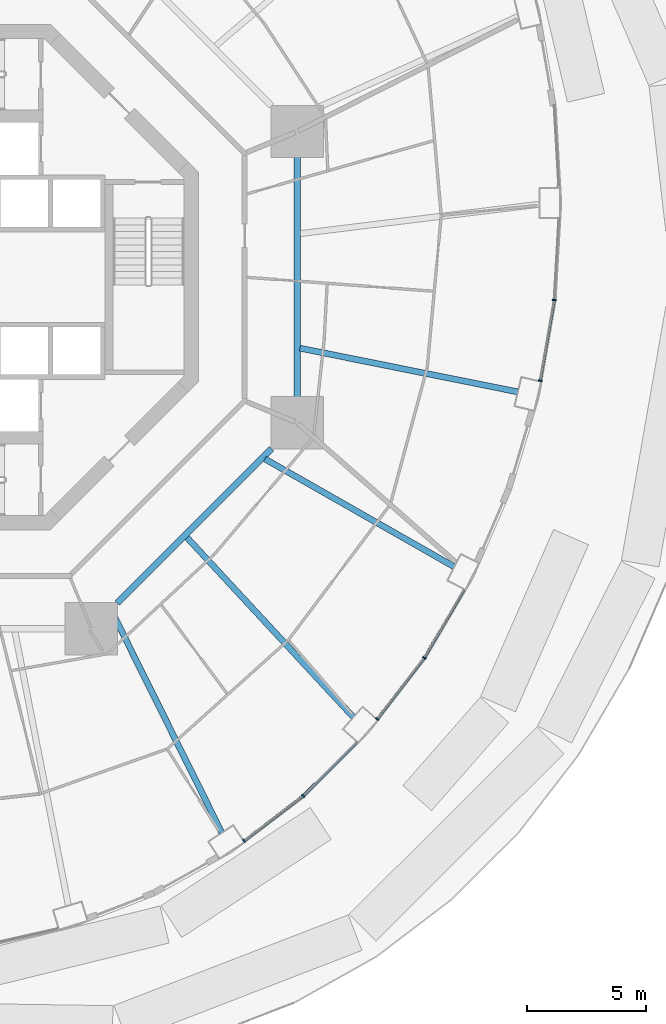
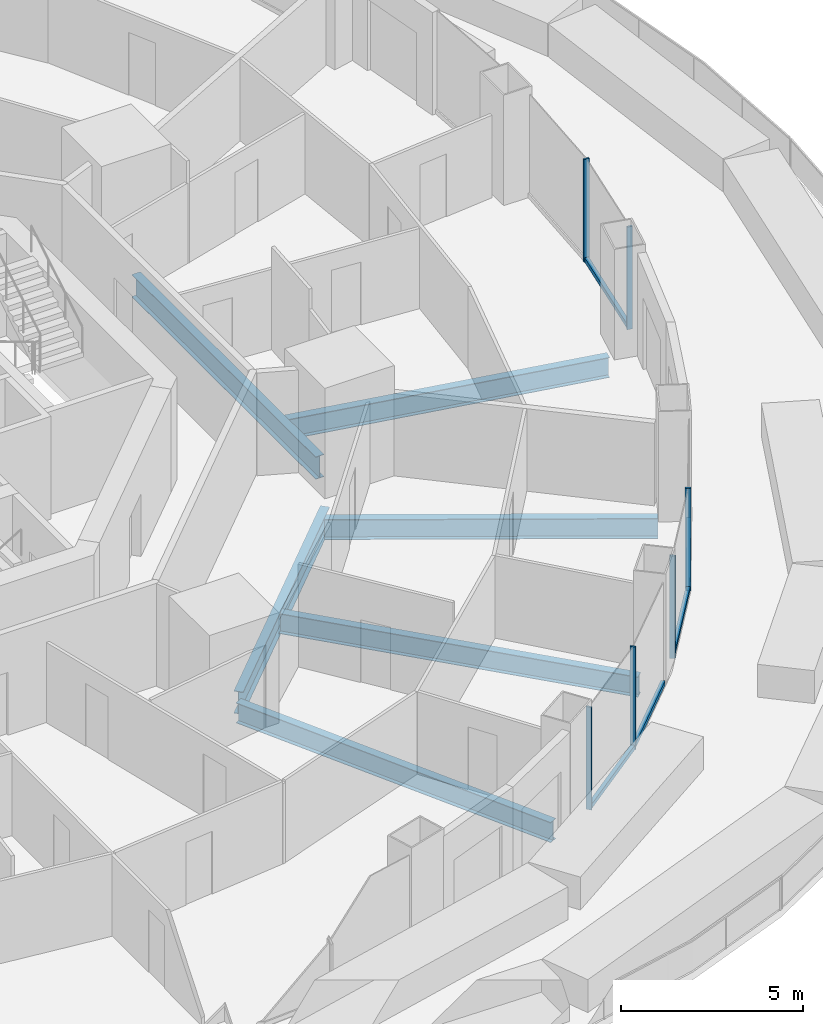
# One storey, part 5 of 22: 11 members, 6 beams, 6 elements without a shape of their own.
"""IFC4 building model written with IfcOpenShell, lengths in metres."""

from ifc_helpers import new_model, si_unit, direction, frame, origin, origin_2d, place, context, subcontext, project, spatial, rectangle, i_section, extrude, material, layer, layer_set, material_profile, profile_set, type_object, element, aggregate, save


model = new_model("IFC4")

# Units and contexts
model_context = context("Model", 3, precision=1e-05, world=origin(), true_north=direction((0.0, 1.0)))
body_context = subcontext(model_context, "Body", "Model", "MODEL_VIEW")
ifc_project = project(units=[si_unit("LENGTHUNIT", "METRE"), si_unit("AREAUNIT", "SQUARE_METRE"), si_unit("VOLUMEUNIT", "CUBIC_METRE"), si_unit("PLANEANGLEUNIT", "RADIAN"), si_unit("MASSUNIT", "GRAM", prefix="KILO")], contexts=[model_context])

# Site, building, storey
site_placement = place(None, origin())
site = spatial("IfcSite", under=ifc_project, at=site_placement, CompositionType="ELEMENT")
building_placement = place(site_placement, origin())
building = spatial("IfcBuilding", under=site, at=building_placement, Name="Nagisa Residences", CompositionType="ELEMENT")
storey_placement = place(building_placement, frame((0.0, 0.0, 73.300048828125)))
storey = spatial("IfcBuildingStorey", under=building, at=storey_placement, Name="L17", CompositionType="ELEMENT", Elevation=73.300048828125)

# Curtain wall, member
ifc_material_1 = material(Name="Concrete-coloured aluminium curtain wall system", Category="concrete")
ifc_layer = layer(ifc_material_1, 0.159912109375)
ifc_layer_set = layer_set([ifc_layer], Name="CW1 CURTAIN WALL")
curtain_wall_type = type_object("IfcCurtainWallType", Name="CW1 CURTAIN WALL", PredefinedType="NOTDEFINED", material=ifc_layer_set)
curtain_wall_1_placement = place(storey_placement, origin())
curtain_wall_1 = element("IfcCurtainWall", 1, at=curtain_wall_1_placement, inside=storey, type_object=curtain_wall_type, Name="cw:CW1:L17:40", PredefinedType="NOTDEFINED")
ifc_material_2 = material(Name="Concrete-coloured aluminium", Category="concrete")
ifc_material_profile_1 = material_profile(ifc_material_2, rectangle(XDim=0.159912109375, YDim=0.06005859375, at=origin_2d()), Name="CW1 MULLION 160x60")
ifc_profile_set_1 = profile_set([ifc_material_profile_1], Name="Concrete-coloured aluminium")
member_type_1 = type_object("IfcMemberType", Name="CW1 MULLION 160x60", PredefinedType="MULLION", material=ifc_profile_set_1)
member_1_placement = place(storey_placement, frame((12.540283203125, -23.699951171875, 0.0), z_axis=(0.0, 0.0, 1.0), x_axis=(-0.605255421737, 0.79603132756, 0.0)))
member_1 = element("IfcMember", 2, at=member_1_placement, type_object=member_type_1, Name="CW1 mullion", PredefinedType="MULLION", context=body_context, shape_type="SweptSolid", body=[
    extrude(rectangle(XDim=0.159912109375, YDim=0.06005859375, at=origin_2d()), origin(), (0.0, 0.0, 1.0), 3.43994140625),
])

curtain_wall_2_placement = place(storey_placement, origin())
curtain_wall_2 = element("IfcCurtainWall", 3, at=curtain_wall_2_placement, inside=storey, type_object=curtain_wall_type, Name="cw:CW1:L17:41", PredefinedType="NOTDEFINED")
member_2_placement = place(storey_placement, frame((15.0244140625, -21.80712890625, 0.0), z_axis=(0.0, 0.0, 1.0), x_axis=(-0.706376885714, 0.707835924016, 0.0)))
member_2 = element("IfcMember", 4, at=member_2_placement, type_object=member_type_1, Name="CW1 mullion", PredefinedType="MULLION", context=body_context, shape_type="SweptSolid", body=[
    extrude(rectangle(XDim=0.159912109375, YDim=0.06005859375, at=origin_2d()), origin(), (0.0, 0.0, 1.0), 3.43994140625),
])

curtain_wall_3_placement = place(storey_placement, origin())
curtain_wall_3 = element("IfcCurtainWall", 5, at=curtain_wall_3_placement, inside=storey, type_object=curtain_wall_type, Name="cw:CW1:L17:42", PredefinedType="NOTDEFINED")
member_3_placement = place(storey_placement, frame((18.135009765625, -18.579345703125, 0.0), z_axis=(0.0, 0.0, 1.0), x_axis=(-0.792070340816, 0.610429828235, 0.0)))
member_3 = element("IfcMember", 6, at=member_3_placement, type_object=member_type_1, Name="CW1 mullion", PredefinedType="MULLION", context=body_context, shape_type="SweptSolid", body=[
    extrude(rectangle(XDim=0.159912109375, YDim=0.06005859375, at=origin_2d()), origin(), (0.0, 0.0, 1.0), 3.43994140625),
])

curtain_wall_4_placement = place(storey_placement, origin())
curtain_wall_4 = element("IfcCurtainWall", 7, at=curtain_wall_4_placement, inside=storey, type_object=curtain_wall_type, Name="cw:CW1:L17:43", PredefinedType="NOTDEFINED")
member_4_placement = place(storey_placement, frame((20.1181640625, -16.0009765625, 0.0), z_axis=(0.0, 0.0, 1.0), x_axis=(-0.862328898214, 0.506348567002, 0.0)))
member_4 = element("IfcMember", 8, at=member_4_placement, type_object=member_type_1, Name="CW1 mullion", PredefinedType="MULLION", context=body_context, shape_type="SweptSolid", body=[
    extrude(rectangle(XDim=0.159912109375, YDim=0.06005859375, at=origin_2d()), origin(), (0.0, 0.0, 1.0), 3.43994140625),
])

curtain_wall_5_placement = place(storey_placement, origin())
curtain_wall_5 = element("IfcCurtainWall", 9, at=curtain_wall_5_placement, inside=storey, type_object=curtain_wall_type, Name="cw:CW1:L17:46", PredefinedType="NOTDEFINED")
member_5_placement = place(storey_placement, frame((24.989501953125, -4.35546875, 0.0), z_axis=(0.0, 0.0, 1.0), x_axis=(-0.985063604377, 0.172190868898, 0.0)))
member_5 = element("IfcMember", 10, at=member_5_placement, type_object=member_type_1, Name="CW1 mullion", PredefinedType="MULLION", context=body_context, shape_type="SweptSolid", body=[
    extrude(rectangle(XDim=0.159912109375, YDim=0.06005859375, at=origin_2d()), origin(), (0.0, 0.0, 1.0), 3.43994140625),
])

curtain_wall_6_placement = place(storey_placement, origin())
curtain_wall_6 = element("IfcCurtainWall", 11, at=curtain_wall_6_placement, inside=storey, type_object=curtain_wall_type, Name="cw:CW1:L17:47", PredefinedType="NOTDEFINED")
member_6_placement = place(storey_placement, frame((25.579833984375, -0.961181640625, 0.0), z_axis=(0.0, 0.0, 1.0), x_axis=(-0.998345305184, 0.057503492216, 0.0)))
member_6 = element("IfcMember", 12, at=member_6_placement, type_object=member_type_1, Name="CW1 mullion", PredefinedType="MULLION", context=body_context, shape_type="SweptSolid", body=[
    extrude(rectangle(XDim=0.159912109375, YDim=0.06005859375, at=origin_2d()), origin(), (0.0, 0.0, 1.0), 3.43994140625),
])
aggregate(curtain_wall_6, [member_6])

# Member
ifc_material_3 = material(Name="Concrete-coloured aluminium", Category="concrete")
ifc_material_profile_2 = material_profile(ifc_material_3, rectangle(XDim=0.1201171875, YDim=0.14990234375, at=origin_2d()), Name="CW1 TRANSOM 120x150")
ifc_profile_set_2 = profile_set([ifc_material_profile_2], Name="Concrete-coloured aluminium")
member_type_2 = type_object("IfcMemberType", Name="CW1 TRANSOM 120x150", PredefinedType="USERDEFINED", material=ifc_profile_set_2)
member_7_placement = place(storey_placement, frame((12.5166015625, -23.718017578125, 0.074951171875), z_axis=(0.796000041424, 0.605296567025, 0.0), x_axis=(-0.605296567025, 0.796000041424, 0.0)))
member_7 = element("IfcMember", 13, at=member_7_placement, type_object=member_type_2, Name="CW1 transom", ObjectType="TRANSOM", PredefinedType="USERDEFINED", context=body_context, shape_type="SweptSolid", body=[
    extrude(rectangle(XDim=0.1201171875, YDim=0.14990234375, at=origin_2d()), origin(), (0.0, 0.0, 1.0), 3.134033203125),
])

aggregate(curtain_wall_1, [member_1, member_7])

member_8_placement = place(storey_placement, frame((15.003173828125, -21.828125, 0.074951171875), z_axis=(0.707831724839, 0.70638109354, 0.0), x_axis=(-0.70638109354, 0.707831724839, 0.0)))
member_8 = element("IfcMember", 14, at=member_8_placement, type_object=member_type_2, Name="CW1 transom", ObjectType="TRANSOM", PredefinedType="USERDEFINED", context=body_context, shape_type="SweptSolid", body=[
    extrude(rectangle(XDim=0.1201171875, YDim=0.14990234375, at=origin_2d()), origin(), (0.0, 0.0, 1.0), 3.19775390625),
])

aggregate(curtain_wall_2, [member_2, member_8])

member_9_placement = place(storey_placement, frame((18.11669921875, -18.60302734375, 0.074951171875), z_axis=(0.610458970322, 0.792047880847, 0.0), x_axis=(-0.792047880847, 0.610458970322, 0.0)))
member_9 = element("IfcMember", 15, at=member_9_placement, type_object=member_type_2, Name="CW1 transom", ObjectType="TRANSOM", PredefinedType="USERDEFINED", context=body_context, shape_type="SweptSolid", body=[
    extrude(rectangle(XDim=0.1201171875, YDim=0.14990234375, at=origin_2d()), origin(), (0.0, 0.0, 1.0), 3.262939453125),
])

aggregate(curtain_wall_3, [member_3, member_9])

member_10_placement = place(storey_placement, frame((20.10302734375, -16.02685546875, 0.074951171875), z_axis=(0.506329983076, 0.86233981019, 0.0), x_axis=(-0.86233981019, 0.506329983076, 0.0)))
member_10 = element("IfcMember", 16, at=member_10_placement, type_object=member_type_2, Name="CW1 transom", ObjectType="TRANSOM", PredefinedType="USERDEFINED", context=body_context, shape_type="SweptSolid", body=[
    extrude(rectangle(XDim=0.1201171875, YDim=0.14990234375, at=origin_2d()), origin(), (0.0, 0.0, 1.0), 3.32470703125),
])

aggregate(curtain_wall_4, [member_4, member_10])

member_11_placement = place(storey_placement, frame((24.984375, -4.385009765625, 0.074951171875), z_axis=(0.17223289558, 0.985056257114, 0.0), x_axis=(-0.985056257114, 0.17223289558, 0.0)))
member_11 = element("IfcMember", 17, at=member_11_placement, type_object=member_type_2, Name="CW1 transom", ObjectType="TRANSOM", PredefinedType="USERDEFINED", context=body_context, shape_type="SweptSolid", body=[
    extrude(rectangle(XDim=0.1201171875, YDim=0.14990234375, at=origin_2d()), origin(), (0.0, 0.0, 1.0), 3.454345703125),
])

aggregate(curtain_wall_5, [member_5, member_11])

# Beams
ifc_material_4 = material(Name="Steel ASTM A572 Gr 50", Category="steel")
ifc_material_profile_3 = material_profile(ifc_material_4, i_section(OverallWidth=0.264892578125, OverallDepth=0.7529296875, WebThickness=0.01318359375, FlangeThickness=0.01708984375, at=origin_2d()), Name="W760x147")
ifc_profile_set_3 = profile_set([ifc_material_profile_3], Name="Steel ASTM A572 Gr 50")
beam_type_1 = type_object("IfcBeamType", Name="Inner ring beam W760x147", PredefinedType="BEAM", material=ifc_profile_set_3)
beam_1_placement = place(storey_placement, frame((7.208740234375, -13.6962890625, -0.636474609375), z_axis=(0.707106781187, 0.707106781187, 0.0), x_axis=(-0.707106781187, 0.707106781187, 0.0)))
element("IfcBeam", 18, at=beam_1_placement, inside=storey, type_object=beam_type_1, Name="beam:L17:ib7", PredefinedType="BEAM", context=body_context, shape_type="SweptSolid", body=[
    extrude(i_section(OverallWidth=0.264892578125, OverallDepth=0.7529296875, WebThickness=0.01318359375, FlangeThickness=0.01708984375, at=origin_2d()), origin(), (0.0, 0.0, 1.0), 9.1748046875),
])
beam_2_placement = place(storey_placement, frame((14.781982421875, -5.04296875, -0.636474609375), z_axis=(0.0, 1.0, 0.0), x_axis=(-1.0, 0.0, 0.0)))
element("IfcBeam", 19, at=beam_2_placement, inside=storey, type_object=beam_type_1, Name="beam:L17:ib8", PredefinedType="BEAM", context=body_context, shape_type="SweptSolid", body=[
    extrude(i_section(OverallWidth=0.264892578125, OverallDepth=0.7529296875, WebThickness=0.01318359375, FlangeThickness=0.01708984375, at=origin_2d()), origin(), (0.0, 0.0, 1.0), 10.0859375),
])
ifc_material_5 = material(Name="Steel ASTM A572 Gr 50", Category="steel")
ifc_material_profile_4 = material_profile(ifc_material_5, i_section(OverallWidth=0.2529296875, OverallDepth=0.677978515625, WebThickness=0.01171875, FlangeThickness=0.016357421875, at=origin_2d()), Name="W690x125")
ifc_profile_set_4 = profile_set([ifc_material_profile_4], Name="Steel ASTM A572 Gr 50")
beam_type_2 = type_object("IfcBeamType", Name="Radial beam W690x125", PredefinedType="BEAM", material=ifc_profile_set_4)
beam_3_placement = place(storey_placement, frame((11.604736328125, -23.35400390625, -0.59912109375), z_axis=(-0.444988448889, 0.895536308787, 0.0), x_axis=(-0.895536308787, -0.444988448889, 0.0)))
element("IfcBeam", 20, at=beam_3_placement, inside=storey, type_object=beam_type_2, Name="beam:L17:rb21", PredefinedType="BEAM", context=body_context, shape_type="SweptSolid", body=[
    extrude(i_section(OverallWidth=0.2529296875, OverallDepth=0.677978515625, WebThickness=0.01171875, FlangeThickness=0.016357421875, at=origin_2d()), origin(), (0.0, 0.0, 1.0), 10.364013671875),
])
beam_4_placement = place(storey_placement, frame((17.135986328125, -18.49609375, -0.59912109375), z_axis=(-0.67961674612, 0.733567364591, 0.0), x_axis=(-0.733567364591, -0.67961674612, 0.0)))
element("IfcBeam", 21, at=beam_4_placement, inside=storey, type_object=beam_type_2, Name="beam:L17:rb22", PredefinedType="BEAM", context=body_context, shape_type="SweptSolid", body=[
    extrude(i_section(OverallWidth=0.2529296875, OverallDepth=0.677978515625, WebThickness=0.01171875, FlangeThickness=0.016357421875, at=origin_2d()), origin(), (0.0, 0.0, 1.0), 10.30859375),
])
beam_5_placement = place(storey_placement, frame((21.37744140625, -12.1767578125, -0.59912109375), z_axis=(-0.868924854865, 0.494944033804, 0.0), x_axis=(-0.494944033804, -0.868924854865, 0.0)))
element("IfcBeam", 22, at=beam_5_placement, inside=storey, type_object=beam_type_2, Name="beam:L17:rb23", PredefinedType="BEAM", context=body_context, shape_type="SweptSolid", body=[
    extrude(i_section(OverallWidth=0.2529296875, OverallDepth=0.677978515625, WebThickness=0.01171875, FlangeThickness=0.016357421875, at=origin_2d()), origin(), (0.0, 0.0, 1.0), 9.156982421875),
])
beam_6_placement = place(storey_placement, frame((24.046630859375, -4.824951171875, -0.59912109375), z_axis=(-0.980459769656, 0.196719699282, 0.0), x_axis=(-0.196719699282, -0.980459769656, 0.0)))
element("IfcBeam", 23, at=beam_6_placement, inside=storey, type_object=beam_type_2, Name="beam:L17:rb24", PredefinedType="BEAM", context=body_context, shape_type="SweptSolid", body=[
    extrude(i_section(OverallWidth=0.2529296875, OverallDepth=0.677978515625, WebThickness=0.01171875, FlangeThickness=0.016357421875, at=origin_2d()), origin(), (0.0, 0.0, 1.0), 9.333984375),
])

save(model, "model.ifc")
